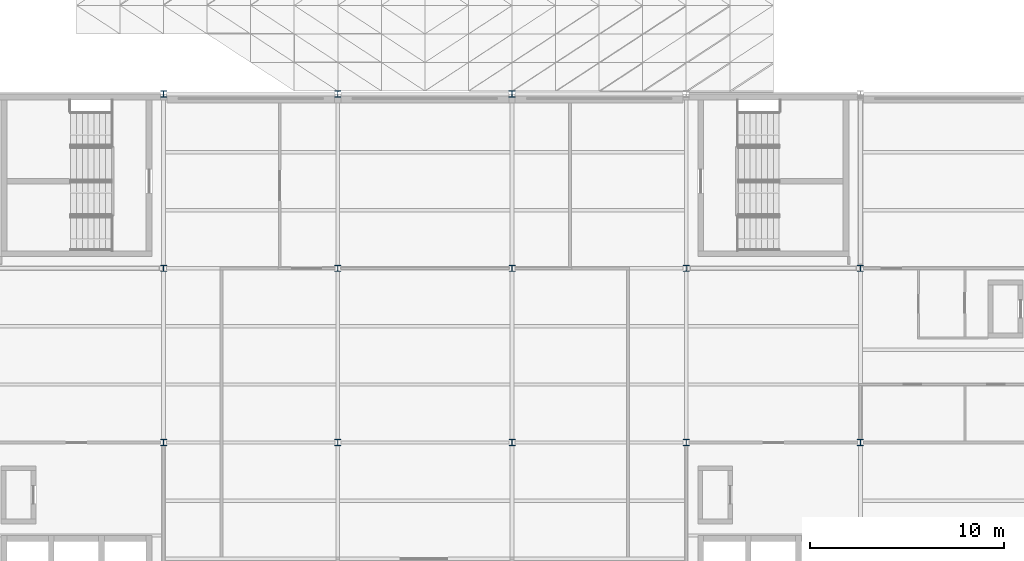
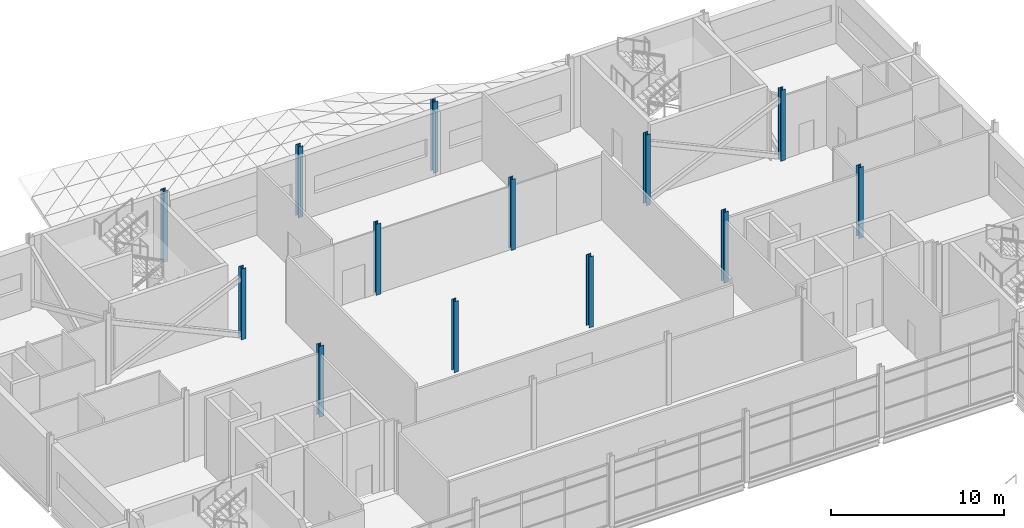
# One storey, part 13 of 112: 13 columns.
"""IFC4 building model written with IfcOpenShell, lengths in metres."""

from ifc_helpers import new_model, si_unit, direction, frame, origin, origin_2d, place, context, subcontext, project, spatial, i_section, extrude, material, material_profile, profile_set, type_object, element, save


model = new_model("IFC4")

# Units and contexts
model_context = context("Model", 3, precision=1e-05, world=origin(), true_north=direction((0.0, 1.0)))
body_context = subcontext(model_context, "Body", "Model", "MODEL_VIEW")
ifc_project = project(units=[si_unit("LENGTHUNIT", "METRE"), si_unit("AREAUNIT", "SQUARE_METRE"), si_unit("VOLUMEUNIT", "CUBIC_METRE"), si_unit("PLANEANGLEUNIT", "RADIAN"), si_unit("MASSUNIT", "GRAM", prefix="KILO")], contexts=[model_context])

# Site, building, storey
site_placement = place(None, origin())
site = spatial("IfcSite", under=ifc_project, at=site_placement, CompositionType="ELEMENT")
building_placement = place(site_placement, origin())
building = spatial("IfcBuilding", under=site, at=building_placement, Name="Shorebreak Coast Museum", CompositionType="ELEMENT")
storey_placement = place(building_placement, frame((0.0, 0.0, 6.0)))
storey = spatial("IfcBuildingStorey", under=building, at=storey_placement, Name="L01", CompositionType="ELEMENT", Elevation=6.0)

# Columns
ifc_material_1 = material(Name="Steel Grade 300", Category="steel")
ifc_material_profile_1 = material_profile(ifc_material_1, i_section(OverallWidth=0.30908203125, OverallDepth=0.320556640625, WebThickness=0.013916015625, FlangeThickness=0.021728515625, FilletRadius=0.0166015625, at=origin_2d()), Name="310UC137")
ifc_profile_set_1 = profile_set([ifc_material_profile_1], Name="Steel Grade 300")
column_type_1 = type_object("IfcColumnType", Name="Column 310UC137", PredefinedType="COLUMN", material=ifc_profile_set_1)
for number, where, z_axis, x_axis, name in (
    (1, (72.0, 99.0, 0.0), (0.0, 0.0, 1.0), (1.0, 0.0, 0.0), "Column L01 9M"),
    (2, (81.0, 99.0, 0.0), (0.0, 0.0, 1.0), (1.0, 0.0, 0.0), "Column L01 10M"),
    (3, (90.0, 99.0, 0.0), (0.0, 0.0, 1.0), (1.0, 0.0, 0.0), "Column L01 11M"),
    (4, (99.0, 99.0, 0.0), (0.0, 0.0, 1.0), (1.0, 0.0, 0.0), "Column L01 12M"),
    (5, (108.0, 99.0, 0.0), (0.0, 0.0, 1.0), (1.0, 0.0, 0.0), "Column L01 13M"),
    (6, (72.0, 108.0, 0.0), (0.0, 0.0, 1.0), (1.0, 0.0, 0.0), "Column L01 9N"),
    (7, (81.0, 108.0, 0.0), (0.0, 0.0, 1.0), (1.0, 0.0, 0.0), "Column L01 10N"),
    (8, (90.0, 108.0, 0.0), (0.0, 0.0, 1.0), (1.0, 0.0, 0.0), "Column L01 11N"),
    (9, (99.0, 108.0, 0.0), (0.0, 0.0, 1.0), (1.0, 0.0, 0.0), "Column L01 12N"),
    (10, (108.0, 108.0, 0.0), (0.0, 0.0, 1.0), (1.0, 0.0, 0.0), "Column L01 13N"),
):
    element("IfcColumn", number, at=place(storey_placement, frame(where, z_axis=z_axis, x_axis=x_axis)), inside=storey, type_object=column_type_1, Name=name, PredefinedType="COLUMN", context=body_context, shape_type="SweptSolid", body=[
        extrude(i_section(OverallWidth=0.30908203125, OverallDepth=0.320556640625, WebThickness=0.013916015625, FlangeThickness=0.021728515625, FilletRadius=0.0166015625, at=origin_2d()), origin(), (0.0, 0.0, 1.0), 5.0),
    ])
ifc_material_2 = material(Name="Steel Grade 300", Category="steel")
ifc_material_profile_2 = material_profile(ifc_material_2, i_section(OverallWidth=0.31103515625, OverallDepth=0.3271484375, WebThickness=0.015625, FlangeThickness=0.02490234375, FilletRadius=0.0166015625, at=origin_2d()), Name="310UC158")
ifc_profile_set_2 = profile_set([ifc_material_profile_2], Name="Steel Grade 300")
column_type_2 = type_object("IfcColumnType", Name="Column 310UC158", PredefinedType="COLUMN", material=ifc_profile_set_2)
for number, where, z_axis, x_axis, name in (
    (11, (72.0, 117.0, 0.0), (0.0, 0.0, 1.0), (1.0, 0.0, 0.0), "Column L01 9P"),
    (12, (81.0, 117.0, 0.0), (0.0, 0.0, 1.0), (1.0, 0.0, 0.0), "Column L01 10P"),
    (13, (90.0, 117.0, 0.0), (0.0, 0.0, 1.0), (1.0, 0.0, 0.0), "Column L01 11P"),
):
    element("IfcColumn", number, at=place(storey_placement, frame(where, z_axis=z_axis, x_axis=x_axis)), inside=storey, type_object=column_type_2, Name=name, PredefinedType="COLUMN", context=body_context, shape_type="SweptSolid", body=[
        extrude(i_section(OverallWidth=0.31103515625, OverallDepth=0.3271484375, WebThickness=0.015625, FlangeThickness=0.02490234375, FilletRadius=0.0166015625, at=origin_2d()), origin(), (0.0, 0.0, 1.0), 5.0),
    ])

save(model, "model.ifc")
